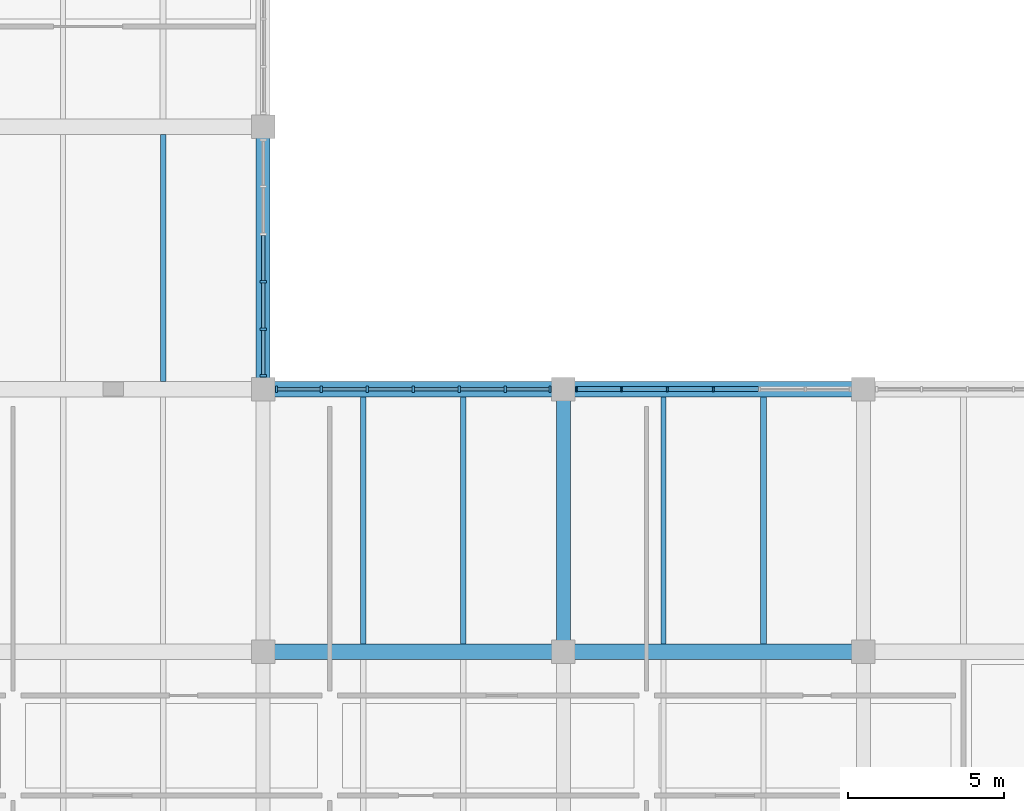
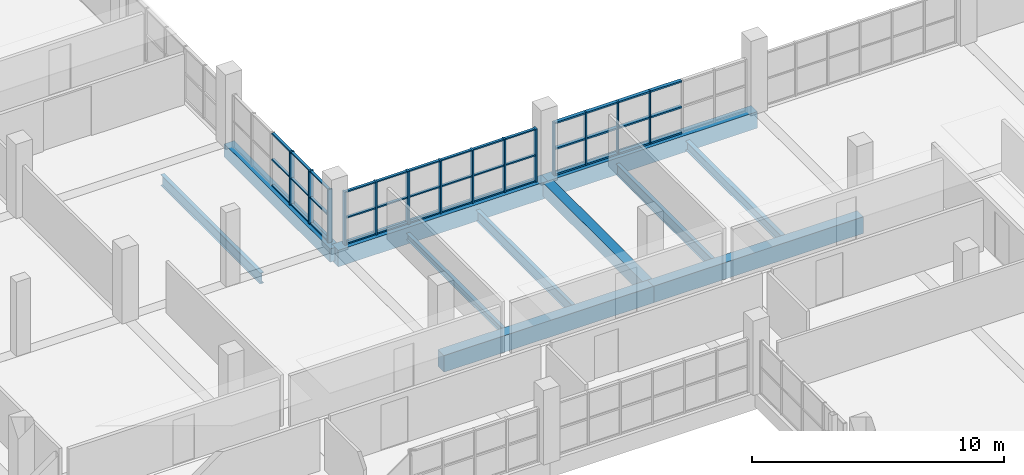
# One storey, part 73 of 147: 53 members, 11 beams, 3 elements without a shape of their own.
"""IFC4 building model written with IfcOpenShell, lengths in metres."""

from ifc_helpers import new_model, si_unit, direction, frame, origin, origin_2d, place, context, subcontext, project, spatial, rectangle, i_section, extrude, material, material_profile, profile_set, type_object, element, aggregate, save


model = new_model("IFC4")

# Units and contexts
model_context = context("Model", 3, precision=1e-05, world=origin(), true_north=direction((0.0, 1.0)))
body_context = subcontext(model_context, "Body", "Model", "MODEL_VIEW")
ifc_project = project(units=[si_unit("LENGTHUNIT", "METRE"), si_unit("AREAUNIT", "SQUARE_METRE"), si_unit("VOLUMEUNIT", "CUBIC_METRE"), si_unit("PLANEANGLEUNIT", "RADIAN"), si_unit("MASSUNIT", "GRAM", prefix="KILO")], contexts=[model_context])

# Site, building, storey
site_placement = place(None, origin())
site = spatial("IfcSite", under=ifc_project, at=site_placement, CompositionType="ELEMENT")
building_placement = place(site_placement, origin())
building = spatial("IfcBuilding", under=site, at=building_placement, Name="Oolite Switchyard Hospital", CompositionType="ELEMENT")
storey_placement = place(building_placement, frame((0.0, 0.0, 9.89990234375)))
storey = spatial("IfcBuildingStorey", under=building, at=storey_placement, Name="L02", CompositionType="ELEMENT", Elevation=9.89990234375)

# Beams
ifc_material_1 = material(Name="Concrete C40/50", Category="concrete")
ifc_material_profile_1 = material_profile(ifc_material_1, rectangle(XDim=0.449951171875, YDim=0.64990234375, at=origin_2d()), Name="RCB450X650")
ifc_profile_set_1 = profile_set([ifc_material_profile_1], Name="Concrete C40/50")
beam_type_1 = type_object("IfcBeamType", Name="BM-RC450X650", PredefinedType="BEAM", material=ifc_profile_set_1)
beam_1_placement = place(storey_placement, frame((172.800048828125, 75.60009765625, -0.324951171875), z_axis=(0.0, 1.0, 0.0), x_axis=(-1.0, 0.0, 0.0)))
element("IfcBeam", 1, at=beam_1_placement, inside=storey, type_object=beam_type_1, Name="L02 Y-Girder 1458", PredefinedType="BEAM", context=body_context, shape_type="SweptSolid", body=[
    extrude(rectangle(XDim=0.449951171875, YDim=0.64990234375, at=origin_2d()), origin(), (0.0, 0.0, 1.0), 8.39990234375),
])
beam_2_placement = place(storey_placement, frame((182.39990234375, 67.199951171875, -0.324951171875), z_axis=(0.0, 1.0, 0.0), x_axis=(-1.0, 0.0, 0.0)))
element("IfcBeam", 2, at=beam_2_placement, inside=storey, type_object=beam_type_1, Name="L02 Y-Girder 1474", PredefinedType="BEAM", context=body_context, shape_type="SweptSolid", body=[
    extrude(rectangle(XDim=0.449951171875, YDim=0.64990234375, at=origin_2d()), origin(), (0.0, 0.0, 1.0), 8.400146484375),
])
ifc_material_profile_2 = material_profile(ifc_material_1, rectangle(XDim=0.5, YDim=0.800048828125, at=origin_2d()), Name="RCB500X800")
ifc_profile_set_2 = profile_set([ifc_material_profile_2], Name="Concrete C40/50")
beam_type_2 = type_object("IfcBeamType", Name="BM-RC500X800", PredefinedType="BEAM", material=ifc_profile_set_2)
beam_3_placement = place(storey_placement, frame((172.800048828125, 67.199951171875, -0.39990234375), z_axis=(1.0, 0.0, 0.0), x_axis=(0.0, 1.0, 0.0)))
element("IfcBeam", 3, at=beam_3_placement, inside=storey, type_object=beam_type_2, Name="L02 X-Girder 1106", PredefinedType="BEAM", context=body_context, shape_type="SweptSolid", body=[
    extrude(rectangle(XDim=0.5, YDim=0.800048828125, at=origin_2d()), origin(), (0.0, 0.0, 1.0), 9.599853515625),
])
beam_4_placement = place(storey_placement, frame((182.39990234375, 67.199951171875, -0.39990234375), z_axis=(1.0, 0.0, 0.0), x_axis=(0.0, 1.0, 0.0)))
element("IfcBeam", 4, at=beam_4_placement, inside=storey, type_object=beam_type_2, Name="L02 X-Girder 1107", PredefinedType="BEAM", context=body_context, shape_type="SweptSolid", body=[
    extrude(rectangle(XDim=0.5, YDim=0.800048828125, at=origin_2d()), origin(), (0.0, 0.0, 1.0), 9.60009765625),
])
beam_5_placement = place(storey_placement, frame((172.800048828125, 75.60009765625, -0.39990234375), z_axis=(1.0, 0.0, 0.0), x_axis=(0.0, 1.0, 0.0)))
element("IfcBeam", 5, at=beam_5_placement, inside=storey, type_object=beam_type_2, Name="L02 X-Girder 1122", PredefinedType="BEAM", context=body_context, shape_type="SweptSolid", body=[
    extrude(rectangle(XDim=0.5, YDim=0.800048828125, at=origin_2d()), origin(), (0.0, 0.0, 1.0), 9.599853515625),
])
beam_6_placement = place(storey_placement, frame((182.39990234375, 75.60009765625, -0.39990234375), z_axis=(1.0, 0.0, 0.0), x_axis=(0.0, 1.0, 0.0)))
element("IfcBeam", 6, at=beam_6_placement, inside=storey, type_object=beam_type_2, Name="L02 X-Girder 1123", PredefinedType="BEAM", context=body_context, shape_type="SweptSolid", body=[
    extrude(rectangle(XDim=0.5, YDim=0.800048828125, at=origin_2d()), origin(), (0.0, 0.0, 1.0), 9.60009765625),
])
ifc_material_2 = material(Name="Steel ASTM A992 Grade 50", Category="steel")
ifc_material_profile_3 = material_profile(ifc_material_2, i_section(OverallWidth=0.1650390625, OverallDepth=0.31005859375, WebThickness=0.006103515625, FlangeThickness=0.010009765625, at=origin_2d()), Name="W12X26")
ifc_profile_set_3 = profile_set([ifc_material_profile_3], Name="Steel ASTM A992 Grade 50")
beam_type_3 = type_object("IfcBeamType", Name="BM-W12X26", PredefinedType="JOIST", material=ifc_profile_set_3)
beam_7_placement = place(storey_placement, frame((176.0, 67.449951171875, -0.414794921875), z_axis=(0.0, 1.0, 0.0), x_axis=(-1.0, 0.0, 0.0)))
element("IfcBeam", 7, at=beam_7_placement, inside=storey, type_object=beam_type_3, Name="L02 Secondary Steel Joist 1858", PredefinedType="JOIST", context=body_context, shape_type="SweptSolid", body=[
    extrude(i_section(OverallWidth=0.1650390625, OverallDepth=0.31005859375, WebThickness=0.006103515625, FlangeThickness=0.010009765625, at=origin_2d()), origin(), (0.0, 0.0, 1.0), 7.900146484375),
])
ifc_material_profile_4 = material_profile(ifc_material_2, i_section(OverallWidth=0.19091796875, OverallDepth=0.4599609375, WebThickness=0.010009765625, FlangeThickness=0.01611328125, at=origin_2d()), Name="W18X55")
ifc_profile_set_4 = profile_set([ifc_material_profile_4], Name="Steel ASTM A992 Grade 50")
beam_type_4 = type_object("IfcBeamType", Name="BM-W18X55", PredefinedType="JOIST", material=ifc_profile_set_4)
beam_8_placement = place(storey_placement, frame((188.800048828125, 67.449951171875, -0.489990234375), z_axis=(0.0, 1.0, 0.0), x_axis=(-1.0, 0.0, 0.0)))
element("IfcBeam", 8, at=beam_8_placement, inside=storey, type_object=beam_type_4, Name="L02 Secondary Steel Joist 1881", PredefinedType="JOIST", context=body_context, shape_type="SweptSolid", body=[
    extrude(i_section(OverallWidth=0.19091796875, OverallDepth=0.4599609375, WebThickness=0.010009765625, FlangeThickness=0.01611328125, at=origin_2d()), origin(), (0.0, 0.0, 1.0), 7.900146484375),
])
ifc_material_profile_5 = material_profile(ifc_material_2, i_section(OverallWidth=0.166015625, OverallDepth=0.529052734375, WebThickness=0.010009765625, FlangeThickness=0.013916015625, at=origin_2d()), Name="W21X50")
ifc_profile_set_5 = profile_set([ifc_material_profile_5], Name="Steel ASTM A992 Grade 50")
beam_type_5 = type_object("IfcBeamType", Name="BM-W21X50", PredefinedType="JOIST", material=ifc_profile_set_5)
beam_9_placement = place(storey_placement, frame((169.60009765625, 75.85009765625, -0.52392578125), z_axis=(0.0, 1.0, 0.0), x_axis=(-1.0, 0.0, 0.0)))
element("IfcBeam", 9, at=beam_9_placement, inside=storey, type_object=beam_type_5, Name="L02 Secondary Steel Joist 1841", PredefinedType="JOIST", context=body_context, shape_type="SweptSolid", body=[
    extrude(i_section(OverallWidth=0.166015625, OverallDepth=0.529052734375, WebThickness=0.010009765625, FlangeThickness=0.013916015625, at=origin_2d()), origin(), (0.0, 0.0, 1.0), 7.89990234375),
])
for number, where, z_axis, x_axis, name in (
    (10, (179.199951171875, 67.449951171875, -0.52392578125), (0.0, 1.0, 0.0), (-1.0, 0.0, 0.0), "L02 Secondary Steel Joist 1859"),
    (11, (185.60009765625, 67.449951171875, -0.52392578125), (0.0, 1.0, 0.0), (-1.0, 0.0, 0.0), "L02 Secondary Steel Joist 1880"),
):
    element("IfcBeam", number, at=place(storey_placement, frame(where, z_axis=z_axis, x_axis=x_axis)), inside=storey, type_object=beam_type_5, Name=name, PredefinedType="JOIST", context=body_context, shape_type="SweptSolid", body=[
        extrude(i_section(OverallWidth=0.166015625, OverallDepth=0.529052734375, WebThickness=0.010009765625, FlangeThickness=0.013916015625, at=origin_2d()), origin(), (0.0, 0.0, 1.0), 7.900146484375),
    ])

# Curtain wall, members
ifc_material_3 = material(Name="Thermally broken aluminum frame with laminated impact glazing", Category="aluminium")
curtain_wall_type_1 = type_object("IfcCurtainWallType", Name="CW-UNIT-96X36", PredefinedType="USERDEFINED", material=ifc_material_3)
curtain_wall_1_placement = place(storey_placement, origin())
curtain_wall_1 = element("IfcCurtainWall", 12, at=curtain_wall_1_placement, inside=storey, type_object=curtain_wall_type_1, Name="L02 Unitised Curtain Wall 247", ObjectType="UNITISED", PredefinedType="USERDEFINED")
ifc_material_4 = material(Name="Aluminium 6063-T6", Category="aluminium")
ifc_material_profile_6 = material_profile(ifc_material_4, rectangle(XDim=0.159912109375, YDim=0.06005859375, at=origin_2d()), Name="CWM60X160")
ifc_profile_set_6 = profile_set([ifc_material_profile_6], Name="Aluminium 6063-T6")
member_type_1 = type_object("IfcMemberType", Name="CW-MUL-180", PredefinedType="MULLION", material=ifc_profile_set_6)
member_1_placement = place(storey_placement, frame((182.820068359375, 75.60009765625, 0.0), z_axis=(0.0, 0.0, 1.0), x_axis=(0.0, 1.0, 0.0)))
member_1 = element("IfcMember", 13, at=member_1_placement, type_object=member_type_1, Name="CW-03 mullion 1", PredefinedType="MULLION", context=body_context, shape_type="SweptSolid", body=[
    extrude(rectangle(XDim=0.159912109375, YDim=0.06005859375, at=origin_2d()), origin(), (0.0, 0.0, 1.0), 2.570068359375),
])
member_2_placement = place(storey_placement, frame((184.260009765625, 75.60009765625, 0.0), z_axis=(0.0, 0.0, 1.0), x_axis=(0.0, 1.0, 0.0)))
member_2 = element("IfcMember", 14, at=member_2_placement, type_object=member_type_1, Name="CW-03 mullion 2", PredefinedType="MULLION", context=body_context, shape_type="SweptSolid", body=[
    extrude(rectangle(XDim=0.159912109375, YDim=0.06005859375, at=origin_2d()), origin(), (0.0, 0.0, 1.0), 2.570068359375),
])
member_3_placement = place(storey_placement, frame((185.72998046875, 75.60009765625, 0.0), z_axis=(0.0, 0.0, 1.0), x_axis=(0.0, 1.0, 0.0)))
member_3 = element("IfcMember", 15, at=member_3_placement, type_object=member_type_1, Name="CW-03 mullion 3", PredefinedType="MULLION", context=body_context, shape_type="SweptSolid", body=[
    extrude(rectangle(XDim=0.159912109375, YDim=0.06005859375, at=origin_2d()), origin(), (0.0, 0.0, 1.0), 2.570068359375),
])
member_4_placement = place(storey_placement, frame((187.199951171875, 75.60009765625, 0.0), z_axis=(0.0, 0.0, 1.0), x_axis=(0.0, 1.0, 0.0)))
member_4 = element("IfcMember", 16, at=member_4_placement, type_object=member_type_1, Name="CW-03 mullion 4", PredefinedType="MULLION", context=body_context, shape_type="SweptSolid", body=[
    extrude(rectangle(XDim=0.159912109375, YDim=0.06005859375, at=origin_2d()), origin(), (0.0, 0.0, 1.0), 2.570068359375),
])

curtain_wall_2_placement = place(storey_placement, origin())
curtain_wall_2 = element("IfcCurtainWall", 17, at=curtain_wall_2_placement, inside=storey, type_object=curtain_wall_type_1, Name="L02 Unitised Curtain Wall 246", ObjectType="UNITISED", PredefinedType="USERDEFINED")
ifc_material_profile_7 = material_profile(ifc_material_4, rectangle(XDim=0.199951171875, YDim=0.074951171875, at=origin_2d()), Name="CWM75X200")
ifc_profile_set_7 = profile_set([ifc_material_profile_7], Name="Aluminium 6063-T6")
member_type_2 = type_object("IfcMemberType", Name="CW-MUL-260", PredefinedType="MULLION", material=ifc_profile_set_7)
member_5_placement = place(storey_placement, frame((173.2275390625, 75.60009765625, 0.0), z_axis=(0.0, 0.0, 1.0), x_axis=(0.0, 1.0, 0.0)))
member_5 = element("IfcMember", 18, at=member_5_placement, type_object=member_type_2, Name="CW-03 mullion 1", PredefinedType="MULLION", context=body_context, shape_type="SweptSolid", body=[
    extrude(rectangle(XDim=0.199951171875, YDim=0.074951171875, at=origin_2d()), origin(), (0.0, 0.0, 1.0), 2.570068359375),
])
member_6_placement = place(storey_placement, frame((174.659912109375, 75.60009765625, 0.0), z_axis=(0.0, 0.0, 1.0), x_axis=(0.0, 1.0, 0.0)))
member_6 = element("IfcMember", 19, at=member_6_placement, type_object=member_type_2, Name="CW-03 mullion 2", PredefinedType="MULLION", context=body_context, shape_type="SweptSolid", body=[
    extrude(rectangle(XDim=0.199951171875, YDim=0.074951171875, at=origin_2d()), origin(), (0.0, 0.0, 1.0), 2.570068359375),
])
member_7_placement = place(storey_placement, frame((176.1298828125, 75.60009765625, 0.0), z_axis=(0.0, 0.0, 1.0), x_axis=(0.0, 1.0, 0.0)))
member_7 = element("IfcMember", 20, at=member_7_placement, type_object=member_type_2, Name="CW-03 mullion 3", PredefinedType="MULLION", context=body_context, shape_type="SweptSolid", body=[
    extrude(rectangle(XDim=0.199951171875, YDim=0.074951171875, at=origin_2d()), origin(), (0.0, 0.0, 1.0), 2.570068359375),
])
member_8_placement = place(storey_placement, frame((177.60009765625, 75.60009765625, 0.0), z_axis=(0.0, 0.0, 1.0), x_axis=(0.0, 1.0, 0.0)))
member_8 = element("IfcMember", 21, at=member_8_placement, type_object=member_type_2, Name="CW-03 mullion 4", PredefinedType="MULLION", context=body_context, shape_type="SweptSolid", body=[
    extrude(rectangle(XDim=0.199951171875, YDim=0.074951171875, at=origin_2d()), origin(), (0.0, 0.0, 1.0), 2.570068359375),
])
member_9_placement = place(storey_placement, frame((179.070068359375, 75.60009765625, 0.0), z_axis=(0.0, 0.0, 1.0), x_axis=(0.0, 1.0, 0.0)))
member_9 = element("IfcMember", 22, at=member_9_placement, type_object=member_type_2, Name="CW-03 mullion 5", PredefinedType="MULLION", context=body_context, shape_type="SweptSolid", body=[
    extrude(rectangle(XDim=0.199951171875, YDim=0.074951171875, at=origin_2d()), origin(), (0.0, 0.0, 1.0), 2.570068359375),
])
member_10_placement = place(storey_placement, frame((180.5400390625, 75.60009765625, 0.0), z_axis=(0.0, 0.0, 1.0), x_axis=(0.0, 1.0, 0.0)))
member_10 = element("IfcMember", 23, at=member_10_placement, type_object=member_type_2, Name="CW-03 mullion 6", PredefinedType="MULLION", context=body_context, shape_type="SweptSolid", body=[
    extrude(rectangle(XDim=0.199951171875, YDim=0.074951171875, at=origin_2d()), origin(), (0.0, 0.0, 1.0), 2.570068359375),
])
member_11_placement = place(storey_placement, frame((181.972412109375, 75.60009765625, 0.0), z_axis=(0.0, 0.0, 1.0), x_axis=(0.0, 1.0, 0.0)))
member_11 = element("IfcMember", 24, at=member_11_placement, type_object=member_type_2, Name="CW-03 mullion 7", PredefinedType="MULLION", context=body_context, shape_type="SweptSolid", body=[
    extrude(rectangle(XDim=0.199951171875, YDim=0.074951171875, at=origin_2d()), origin(), (0.0, 0.0, 1.0), 2.570068359375),
])

curtain_wall_type_2 = type_object("IfcCurtainWallType", Name="CW-UNIT-84X36", PredefinedType="USERDEFINED", material=ifc_material_3)
curtain_wall_3_placement = place(storey_placement, origin())
curtain_wall_3 = element("IfcCurtainWall", 25, at=curtain_wall_3_placement, inside=storey, type_object=curtain_wall_type_2, Name="L02 Unitised Curtain Wall 306", ObjectType="UNITISED", PredefinedType="USERDEFINED")
member_12_placement = place(storey_placement, frame((172.800048828125, 79.0380859375, 0.0), z_axis=(0.0, 0.0, 1.0), x_axis=(1.0, 0.0, 0.0)))
member_12 = element("IfcMember", 26, at=member_12_placement, type_object=member_type_2, Name="CW-08 mullion 4", PredefinedType="MULLION", context=body_context, shape_type="SweptSolid", body=[
    extrude(rectangle(XDim=0.199951171875, YDim=0.074951171875, at=origin_2d()), origin(), (0.0, 0.0, 1.0), 2.570068359375),
])
member_13_placement = place(storey_placement, frame((172.800048828125, 77.513916015625, 0.0), z_axis=(0.0, 0.0, 1.0), x_axis=(1.0, 0.0, 0.0)))
member_13 = element("IfcMember", 27, at=member_13_placement, type_object=member_type_2, Name="CW-08 mullion 5", PredefinedType="MULLION", context=body_context, shape_type="SweptSolid", body=[
    extrude(rectangle(XDim=0.199951171875, YDim=0.074951171875, at=origin_2d()), origin(), (0.0, 0.0, 1.0), 2.570068359375),
])
member_14_placement = place(storey_placement, frame((172.800048828125, 76.027587890625, 0.0), z_axis=(0.0, 0.0, 1.0), x_axis=(1.0, 0.0, 0.0)))
member_14 = element("IfcMember", 28, at=member_14_placement, type_object=member_type_2, Name="CW-08 mullion 6", PredefinedType="MULLION", context=body_context, shape_type="SweptSolid", body=[
    extrude(rectangle(XDim=0.199951171875, YDim=0.074951171875, at=origin_2d()), origin(), (0.0, 0.0, 1.0), 2.570068359375),
])

# Member
ifc_material_profile_8 = material_profile(ifc_material_4, rectangle(XDim=0.1201171875, YDim=0.06005859375, at=origin_2d()), Name="CWT60X120")
ifc_profile_set_8 = profile_set([ifc_material_profile_8], Name="Aluminium 6063-T6")
member_type_3 = type_object("IfcMemberType", Name="CW-TRN-150", PredefinedType="USERDEFINED", material=ifc_profile_set_8)
member_15_placement = place(storey_placement, frame((173.264892578125, 75.60009765625, 0.030029296875), z_axis=(1.0, 0.0, 0.0), x_axis=(0.0, 1.0, 0.0)))
member_15 = element("IfcMember", 29, at=member_15_placement, type_object=member_type_3, Name="CW-03 transom 1.1", ObjectType="TRANSOM", PredefinedType="USERDEFINED", context=body_context, shape_type="SweptSolid", body=[
    extrude(rectangle(XDim=0.1201171875, YDim=0.06005859375, at=origin_2d()), origin(), (0.0, 0.0, 1.0), 1.357666015625),
])

member_16_placement = place(storey_placement, frame((173.264892578125, 75.60009765625, 1.28515625), z_axis=(1.0, 0.0, 0.0), x_axis=(0.0, 1.0, 0.0)))
member_16 = element("IfcMember", 30, at=member_16_placement, type_object=member_type_3, Name="CW-03 transom 1.2", ObjectType="TRANSOM", PredefinedType="USERDEFINED", context=body_context, shape_type="SweptSolid", body=[
    extrude(rectangle(XDim=0.1201171875, YDim=0.06005859375, at=origin_2d()), origin(), (0.0, 0.0, 1.0), 1.357666015625),
])

member_17_placement = place(storey_placement, frame((173.264892578125, 75.60009765625, 2.5400390625), z_axis=(1.0, 0.0, 0.0), x_axis=(0.0, 1.0, 0.0)))
member_17 = element("IfcMember", 31, at=member_17_placement, type_object=member_type_3, Name="CW-03 transom 1.3", ObjectType="TRANSOM", PredefinedType="USERDEFINED", context=body_context, shape_type="SweptSolid", body=[
    extrude(rectangle(XDim=0.1201171875, YDim=0.06005859375, at=origin_2d()), origin(), (0.0, 0.0, 1.0), 1.357666015625),
])

member_18_placement = place(storey_placement, frame((174.697509765625, 75.60009765625, 0.030029296875), z_axis=(1.0, 0.0, 0.0), x_axis=(0.0, 1.0, 0.0)))
member_18 = element("IfcMember", 32, at=member_18_placement, type_object=member_type_3, Name="CW-03 transom 2.1", ObjectType="TRANSOM", PredefinedType="USERDEFINED", context=body_context, shape_type="SweptSolid", body=[
    extrude(rectangle(XDim=0.1201171875, YDim=0.06005859375, at=origin_2d()), origin(), (0.0, 0.0, 1.0), 1.39501953125),
])

member_19_placement = place(storey_placement, frame((174.697509765625, 75.60009765625, 1.28515625), z_axis=(1.0, 0.0, 0.0), x_axis=(0.0, 1.0, 0.0)))
member_19 = element("IfcMember", 33, at=member_19_placement, type_object=member_type_3, Name="CW-03 transom 2.2", ObjectType="TRANSOM", PredefinedType="USERDEFINED", context=body_context, shape_type="SweptSolid", body=[
    extrude(rectangle(XDim=0.1201171875, YDim=0.06005859375, at=origin_2d()), origin(), (0.0, 0.0, 1.0), 1.39501953125),
])

member_20_placement = place(storey_placement, frame((174.697509765625, 75.60009765625, 2.5400390625), z_axis=(1.0, 0.0, 0.0), x_axis=(0.0, 1.0, 0.0)))
member_20 = element("IfcMember", 34, at=member_20_placement, type_object=member_type_3, Name="CW-03 transom 2.3", ObjectType="TRANSOM", PredefinedType="USERDEFINED", context=body_context, shape_type="SweptSolid", body=[
    extrude(rectangle(XDim=0.1201171875, YDim=0.06005859375, at=origin_2d()), origin(), (0.0, 0.0, 1.0), 1.39501953125),
])

member_21_placement = place(storey_placement, frame((176.16748046875, 75.60009765625, 0.030029296875), z_axis=(1.0, 0.0, 0.0), x_axis=(0.0, 1.0, 0.0)))
member_21 = element("IfcMember", 35, at=member_21_placement, type_object=member_type_3, Name="CW-03 transom 3.1", ObjectType="TRANSOM", PredefinedType="USERDEFINED", context=body_context, shape_type="SweptSolid", body=[
    extrude(rectangle(XDim=0.1201171875, YDim=0.06005859375, at=origin_2d()), origin(), (0.0, 0.0, 1.0), 1.39501953125),
])

member_22_placement = place(storey_placement, frame((176.16748046875, 75.60009765625, 1.28515625), z_axis=(1.0, 0.0, 0.0), x_axis=(0.0, 1.0, 0.0)))
member_22 = element("IfcMember", 36, at=member_22_placement, type_object=member_type_3, Name="CW-03 transom 3.2", ObjectType="TRANSOM", PredefinedType="USERDEFINED", context=body_context, shape_type="SweptSolid", body=[
    extrude(rectangle(XDim=0.1201171875, YDim=0.06005859375, at=origin_2d()), origin(), (0.0, 0.0, 1.0), 1.39501953125),
])

member_23_placement = place(storey_placement, frame((176.16748046875, 75.60009765625, 2.5400390625), z_axis=(1.0, 0.0, 0.0), x_axis=(0.0, 1.0, 0.0)))
member_23 = element("IfcMember", 37, at=member_23_placement, type_object=member_type_3, Name="CW-03 transom 3.3", ObjectType="TRANSOM", PredefinedType="USERDEFINED", context=body_context, shape_type="SweptSolid", body=[
    extrude(rectangle(XDim=0.1201171875, YDim=0.06005859375, at=origin_2d()), origin(), (0.0, 0.0, 1.0), 1.39501953125),
])

member_24_placement = place(storey_placement, frame((177.637451171875, 75.60009765625, 0.030029296875), z_axis=(1.0, 0.0, 0.0), x_axis=(0.0, 1.0, 0.0)))
member_24 = element("IfcMember", 38, at=member_24_placement, type_object=member_type_3, Name="CW-03 transom 4.1", ObjectType="TRANSOM", PredefinedType="USERDEFINED", context=body_context, shape_type="SweptSolid", body=[
    extrude(rectangle(XDim=0.1201171875, YDim=0.06005859375, at=origin_2d()), origin(), (0.0, 0.0, 1.0), 1.39501953125),
])

member_25_placement = place(storey_placement, frame((177.637451171875, 75.60009765625, 1.28515625), z_axis=(1.0, 0.0, 0.0), x_axis=(0.0, 1.0, 0.0)))
member_25 = element("IfcMember", 39, at=member_25_placement, type_object=member_type_3, Name="CW-03 transom 4.2", ObjectType="TRANSOM", PredefinedType="USERDEFINED", context=body_context, shape_type="SweptSolid", body=[
    extrude(rectangle(XDim=0.1201171875, YDim=0.06005859375, at=origin_2d()), origin(), (0.0, 0.0, 1.0), 1.39501953125),
])

member_26_placement = place(storey_placement, frame((177.637451171875, 75.60009765625, 2.5400390625), z_axis=(1.0, 0.0, 0.0), x_axis=(0.0, 1.0, 0.0)))
member_26 = element("IfcMember", 40, at=member_26_placement, type_object=member_type_3, Name="CW-03 transom 4.3", ObjectType="TRANSOM", PredefinedType="USERDEFINED", context=body_context, shape_type="SweptSolid", body=[
    extrude(rectangle(XDim=0.1201171875, YDim=0.06005859375, at=origin_2d()), origin(), (0.0, 0.0, 1.0), 1.39501953125),
])

member_27_placement = place(storey_placement, frame((179.107421875, 75.60009765625, 0.030029296875), z_axis=(1.0, 0.0, 0.0), x_axis=(0.0, 1.0, 0.0)))
member_27 = element("IfcMember", 41, at=member_27_placement, type_object=member_type_3, Name="CW-03 transom 5.1", ObjectType="TRANSOM", PredefinedType="USERDEFINED", context=body_context, shape_type="SweptSolid", body=[
    extrude(rectangle(XDim=0.1201171875, YDim=0.06005859375, at=origin_2d()), origin(), (0.0, 0.0, 1.0), 1.39501953125),
])

member_28_placement = place(storey_placement, frame((179.107421875, 75.60009765625, 1.28515625), z_axis=(1.0, 0.0, 0.0), x_axis=(0.0, 1.0, 0.0)))
member_28 = element("IfcMember", 42, at=member_28_placement, type_object=member_type_3, Name="CW-03 transom 5.2", ObjectType="TRANSOM", PredefinedType="USERDEFINED", context=body_context, shape_type="SweptSolid", body=[
    extrude(rectangle(XDim=0.1201171875, YDim=0.06005859375, at=origin_2d()), origin(), (0.0, 0.0, 1.0), 1.39501953125),
])

member_29_placement = place(storey_placement, frame((179.107421875, 75.60009765625, 2.5400390625), z_axis=(1.0, 0.0, 0.0), x_axis=(0.0, 1.0, 0.0)))
member_29 = element("IfcMember", 43, at=member_29_placement, type_object=member_type_3, Name="CW-03 transom 5.3", ObjectType="TRANSOM", PredefinedType="USERDEFINED", context=body_context, shape_type="SweptSolid", body=[
    extrude(rectangle(XDim=0.1201171875, YDim=0.06005859375, at=origin_2d()), origin(), (0.0, 0.0, 1.0), 1.39501953125),
])

member_30_placement = place(storey_placement, frame((180.577392578125, 75.60009765625, 0.030029296875), z_axis=(1.0, 0.0, 0.0), x_axis=(0.0, 1.0, 0.0)))
member_30 = element("IfcMember", 44, at=member_30_placement, type_object=member_type_3, Name="CW-03 transom 6.1", ObjectType="TRANSOM", PredefinedType="USERDEFINED", context=body_context, shape_type="SweptSolid", body=[
    extrude(rectangle(XDim=0.1201171875, YDim=0.06005859375, at=origin_2d()), origin(), (0.0, 0.0, 1.0), 1.357666015625),
])

member_31_placement = place(storey_placement, frame((180.577392578125, 75.60009765625, 1.28515625), z_axis=(1.0, 0.0, 0.0), x_axis=(0.0, 1.0, 0.0)))
member_31 = element("IfcMember", 45, at=member_31_placement, type_object=member_type_3, Name="CW-03 transom 6.2", ObjectType="TRANSOM", PredefinedType="USERDEFINED", context=body_context, shape_type="SweptSolid", body=[
    extrude(rectangle(XDim=0.1201171875, YDim=0.06005859375, at=origin_2d()), origin(), (0.0, 0.0, 1.0), 1.357666015625),
])

member_32_placement = place(storey_placement, frame((180.577392578125, 75.60009765625, 2.5400390625), z_axis=(1.0, 0.0, 0.0), x_axis=(0.0, 1.0, 0.0)))
member_32 = element("IfcMember", 46, at=member_32_placement, type_object=member_type_3, Name="CW-03 transom 6.3", ObjectType="TRANSOM", PredefinedType="USERDEFINED", context=body_context, shape_type="SweptSolid", body=[
    extrude(rectangle(XDim=0.1201171875, YDim=0.06005859375, at=origin_2d()), origin(), (0.0, 0.0, 1.0), 1.357666015625),
])

aggregate(curtain_wall_2, [member_5, member_6, member_7, member_8, member_9, member_10, member_11, member_15, member_16, member_17, member_18, member_19, member_20, member_21, member_22, member_23, member_24, member_25, member_26, member_27, member_28, member_29, member_30, member_31, member_32])

member_33_placement = place(storey_placement, frame((172.800048828125, 80.5244140625, 0.030029296875), z_axis=(0.0, -1.0, 0.0), x_axis=(1.0, 0.0, 0.0)))
member_33 = element("IfcMember", 47, at=member_33_placement, type_object=member_type_3, Name="CW-08 transom 3.1", ObjectType="TRANSOM", PredefinedType="USERDEFINED", context=body_context, shape_type="SweptSolid", body=[
    extrude(rectangle(XDim=0.1201171875, YDim=0.06005859375, at=origin_2d()), origin(), (0.0, 0.0, 1.0), 1.448974609375),
])

member_34_placement = place(storey_placement, frame((172.800048828125, 80.5244140625, 1.28515625), z_axis=(0.0, -1.0, 0.0), x_axis=(1.0, 0.0, 0.0)))
member_34 = element("IfcMember", 48, at=member_34_placement, type_object=member_type_3, Name="CW-08 transom 3.2", ObjectType="TRANSOM", PredefinedType="USERDEFINED", context=body_context, shape_type="SweptSolid", body=[
    extrude(rectangle(XDim=0.1201171875, YDim=0.06005859375, at=origin_2d()), origin(), (0.0, 0.0, 1.0), 1.448974609375),
])

member_35_placement = place(storey_placement, frame((172.800048828125, 80.5244140625, 2.5400390625), z_axis=(0.0, -1.0, 0.0), x_axis=(1.0, 0.0, 0.0)))
member_35 = element("IfcMember", 49, at=member_35_placement, type_object=member_type_3, Name="CW-08 transom 3.3", ObjectType="TRANSOM", PredefinedType="USERDEFINED", context=body_context, shape_type="SweptSolid", body=[
    extrude(rectangle(XDim=0.1201171875, YDim=0.06005859375, at=origin_2d()), origin(), (0.0, 0.0, 1.0), 1.448974609375),
])

member_36_placement = place(storey_placement, frame((172.800048828125, 79.00048828125, 0.030029296875), z_axis=(0.0, -1.0, 0.0), x_axis=(1.0, 0.0, 0.0)))
member_36 = element("IfcMember", 50, at=member_36_placement, type_object=member_type_3, Name="CW-08 transom 4.1", ObjectType="TRANSOM", PredefinedType="USERDEFINED", context=body_context, shape_type="SweptSolid", body=[
    extrude(rectangle(XDim=0.1201171875, YDim=0.06005859375, at=origin_2d()), origin(), (0.0, 0.0, 1.0), 1.448974609375),
])

member_37_placement = place(storey_placement, frame((172.800048828125, 79.00048828125, 1.28515625), z_axis=(0.0, -1.0, 0.0), x_axis=(1.0, 0.0, 0.0)))
member_37 = element("IfcMember", 51, at=member_37_placement, type_object=member_type_3, Name="CW-08 transom 4.2", ObjectType="TRANSOM", PredefinedType="USERDEFINED", context=body_context, shape_type="SweptSolid", body=[
    extrude(rectangle(XDim=0.1201171875, YDim=0.06005859375, at=origin_2d()), origin(), (0.0, 0.0, 1.0), 1.448974609375),
])

member_38_placement = place(storey_placement, frame((172.800048828125, 79.00048828125, 2.5400390625), z_axis=(0.0, -1.0, 0.0), x_axis=(1.0, 0.0, 0.0)))
member_38 = element("IfcMember", 52, at=member_38_placement, type_object=member_type_3, Name="CW-08 transom 4.3", ObjectType="TRANSOM", PredefinedType="USERDEFINED", context=body_context, shape_type="SweptSolid", body=[
    extrude(rectangle(XDim=0.1201171875, YDim=0.06005859375, at=origin_2d()), origin(), (0.0, 0.0, 1.0), 1.448974609375),
])

member_39_placement = place(storey_placement, frame((172.800048828125, 77.4765625, 0.030029296875), z_axis=(0.0, -1.0, 0.0), x_axis=(1.0, 0.0, 0.0)))
member_39 = element("IfcMember", 53, at=member_39_placement, type_object=member_type_3, Name="CW-08 transom 5.1", ObjectType="TRANSOM", PredefinedType="USERDEFINED", context=body_context, shape_type="SweptSolid", body=[
    extrude(rectangle(XDim=0.1201171875, YDim=0.06005859375, at=origin_2d()), origin(), (0.0, 0.0, 1.0), 1.41162109375),
])

member_40_placement = place(storey_placement, frame((172.800048828125, 77.4765625, 1.28515625), z_axis=(0.0, -1.0, 0.0), x_axis=(1.0, 0.0, 0.0)))
member_40 = element("IfcMember", 54, at=member_40_placement, type_object=member_type_3, Name="CW-08 transom 5.2", ObjectType="TRANSOM", PredefinedType="USERDEFINED", context=body_context, shape_type="SweptSolid", body=[
    extrude(rectangle(XDim=0.1201171875, YDim=0.06005859375, at=origin_2d()), origin(), (0.0, 0.0, 1.0), 1.41162109375),
])

member_41_placement = place(storey_placement, frame((172.800048828125, 77.4765625, 2.5400390625), z_axis=(0.0, -1.0, 0.0), x_axis=(1.0, 0.0, 0.0)))
member_41 = element("IfcMember", 55, at=member_41_placement, type_object=member_type_3, Name="CW-08 transom 5.3", ObjectType="TRANSOM", PredefinedType="USERDEFINED", context=body_context, shape_type="SweptSolid", body=[
    extrude(rectangle(XDim=0.1201171875, YDim=0.06005859375, at=origin_2d()), origin(), (0.0, 0.0, 1.0), 1.41162109375),
])

aggregate(curtain_wall_3, [member_12, member_13, member_14, member_33, member_34, member_35, member_36, member_37, member_38, member_39, member_40, member_41])

ifc_material_profile_9 = material_profile(ifc_material_4, rectangle(XDim=0.159912109375, YDim=0.074951171875, at=origin_2d()), Name="CWT75X160")
ifc_profile_set_9 = profile_set([ifc_material_profile_9], Name="Aluminium 6063-T6")
member_type_4 = type_object("IfcMemberType", Name="CW-TRN-180", PredefinedType="USERDEFINED", material=ifc_profile_set_9)
member_42_placement = place(storey_placement, frame((182.85009765625, 75.60009765625, 0.03759765625), z_axis=(1.0, 0.0, 0.0), x_axis=(0.0, 1.0, 0.0)))
member_42 = element("IfcMember", 56, at=member_42_placement, type_object=member_type_4, Name="CW-03 transom 1.1", ObjectType="TRANSOM", PredefinedType="USERDEFINED", context=body_context, shape_type="SweptSolid", body=[
    extrude(rectangle(XDim=0.159912109375, YDim=0.074951171875, at=origin_2d()), origin(), (0.0, 0.0, 1.0), 1.3798828125),
])

member_43_placement = place(storey_placement, frame((182.85009765625, 75.60009765625, 1.28515625), z_axis=(1.0, 0.0, 0.0), x_axis=(0.0, 1.0, 0.0)))
member_43 = element("IfcMember", 57, at=member_43_placement, type_object=member_type_4, Name="CW-03 transom 1.2", ObjectType="TRANSOM", PredefinedType="USERDEFINED", context=body_context, shape_type="SweptSolid", body=[
    extrude(rectangle(XDim=0.159912109375, YDim=0.074951171875, at=origin_2d()), origin(), (0.0, 0.0, 1.0), 1.3798828125),
])

member_44_placement = place(storey_placement, frame((182.85009765625, 75.60009765625, 2.53271484375), z_axis=(1.0, 0.0, 0.0), x_axis=(0.0, 1.0, 0.0)))
member_44 = element("IfcMember", 58, at=member_44_placement, type_object=member_type_4, Name="CW-03 transom 1.3", ObjectType="TRANSOM", PredefinedType="USERDEFINED", context=body_context, shape_type="SweptSolid", body=[
    extrude(rectangle(XDim=0.159912109375, YDim=0.074951171875, at=origin_2d()), origin(), (0.0, 0.0, 1.0), 1.3798828125),
])

member_45_placement = place(storey_placement, frame((184.2900390625, 75.60009765625, 0.03759765625), z_axis=(1.0, 0.0, 0.0), x_axis=(0.0, 1.0, 0.0)))
member_45 = element("IfcMember", 59, at=member_45_placement, type_object=member_type_4, Name="CW-03 transom 2.1", ObjectType="TRANSOM", PredefinedType="USERDEFINED", context=body_context, shape_type="SweptSolid", body=[
    extrude(rectangle(XDim=0.159912109375, YDim=0.074951171875, at=origin_2d()), origin(), (0.0, 0.0, 1.0), 1.409912109375),
])

member_46_placement = place(storey_placement, frame((184.2900390625, 75.60009765625, 1.28515625), z_axis=(1.0, 0.0, 0.0), x_axis=(0.0, 1.0, 0.0)))
member_46 = element("IfcMember", 60, at=member_46_placement, type_object=member_type_4, Name="CW-03 transom 2.2", ObjectType="TRANSOM", PredefinedType="USERDEFINED", context=body_context, shape_type="SweptSolid", body=[
    extrude(rectangle(XDim=0.159912109375, YDim=0.074951171875, at=origin_2d()), origin(), (0.0, 0.0, 1.0), 1.409912109375),
])

member_47_placement = place(storey_placement, frame((184.2900390625, 75.60009765625, 2.53271484375), z_axis=(1.0, 0.0, 0.0), x_axis=(0.0, 1.0, 0.0)))
member_47 = element("IfcMember", 61, at=member_47_placement, type_object=member_type_4, Name="CW-03 transom 2.3", ObjectType="TRANSOM", PredefinedType="USERDEFINED", context=body_context, shape_type="SweptSolid", body=[
    extrude(rectangle(XDim=0.159912109375, YDim=0.074951171875, at=origin_2d()), origin(), (0.0, 0.0, 1.0), 1.409912109375),
])

member_48_placement = place(storey_placement, frame((185.760009765625, 75.60009765625, 0.03759765625), z_axis=(1.0, 0.0, 0.0), x_axis=(0.0, 1.0, 0.0)))
member_48 = element("IfcMember", 62, at=member_48_placement, type_object=member_type_4, Name="CW-03 transom 3.1", ObjectType="TRANSOM", PredefinedType="USERDEFINED", context=body_context, shape_type="SweptSolid", body=[
    extrude(rectangle(XDim=0.159912109375, YDim=0.074951171875, at=origin_2d()), origin(), (0.0, 0.0, 1.0), 1.409912109375),
])

member_49_placement = place(storey_placement, frame((185.760009765625, 75.60009765625, 1.28515625), z_axis=(1.0, 0.0, 0.0), x_axis=(0.0, 1.0, 0.0)))
member_49 = element("IfcMember", 63, at=member_49_placement, type_object=member_type_4, Name="CW-03 transom 3.2", ObjectType="TRANSOM", PredefinedType="USERDEFINED", context=body_context, shape_type="SweptSolid", body=[
    extrude(rectangle(XDim=0.159912109375, YDim=0.074951171875, at=origin_2d()), origin(), (0.0, 0.0, 1.0), 1.409912109375),
])

member_50_placement = place(storey_placement, frame((185.760009765625, 75.60009765625, 2.53271484375), z_axis=(1.0, 0.0, 0.0), x_axis=(0.0, 1.0, 0.0)))
member_50 = element("IfcMember", 64, at=member_50_placement, type_object=member_type_4, Name="CW-03 transom 3.3", ObjectType="TRANSOM", PredefinedType="USERDEFINED", context=body_context, shape_type="SweptSolid", body=[
    extrude(rectangle(XDim=0.159912109375, YDim=0.074951171875, at=origin_2d()), origin(), (0.0, 0.0, 1.0), 1.409912109375),
])

member_51_placement = place(storey_placement, frame((187.22998046875, 75.60009765625, 0.03759765625), z_axis=(1.0, 0.0, 0.0), x_axis=(0.0, 1.0, 0.0)))
member_51 = element("IfcMember", 65, at=member_51_placement, type_object=member_type_4, Name="CW-03 transom 4.1", ObjectType="TRANSOM", PredefinedType="USERDEFINED", context=body_context, shape_type="SweptSolid", body=[
    extrude(rectangle(XDim=0.159912109375, YDim=0.074951171875, at=origin_2d()), origin(), (0.0, 0.0, 1.0), 1.409912109375),
])

member_52_placement = place(storey_placement, frame((187.22998046875, 75.60009765625, 1.28515625), z_axis=(1.0, 0.0, 0.0), x_axis=(0.0, 1.0, 0.0)))
member_52 = element("IfcMember", 66, at=member_52_placement, type_object=member_type_4, Name="CW-03 transom 4.2", ObjectType="TRANSOM", PredefinedType="USERDEFINED", context=body_context, shape_type="SweptSolid", body=[
    extrude(rectangle(XDim=0.159912109375, YDim=0.074951171875, at=origin_2d()), origin(), (0.0, 0.0, 1.0), 1.409912109375),
])

member_53_placement = place(storey_placement, frame((187.22998046875, 75.60009765625, 2.53271484375), z_axis=(1.0, 0.0, 0.0), x_axis=(0.0, 1.0, 0.0)))
member_53 = element("IfcMember", 67, at=member_53_placement, type_object=member_type_4, Name="CW-03 transom 4.3", ObjectType="TRANSOM", PredefinedType="USERDEFINED", context=body_context, shape_type="SweptSolid", body=[
    extrude(rectangle(XDim=0.159912109375, YDim=0.074951171875, at=origin_2d()), origin(), (0.0, 0.0, 1.0), 1.409912109375),
])

aggregate(curtain_wall_1, [member_1, member_2, member_3, member_4, member_42, member_43, member_44, member_45, member_46, member_47, member_48, member_49, member_50, member_51, member_52, member_53])

save(model, "model.ifc")
